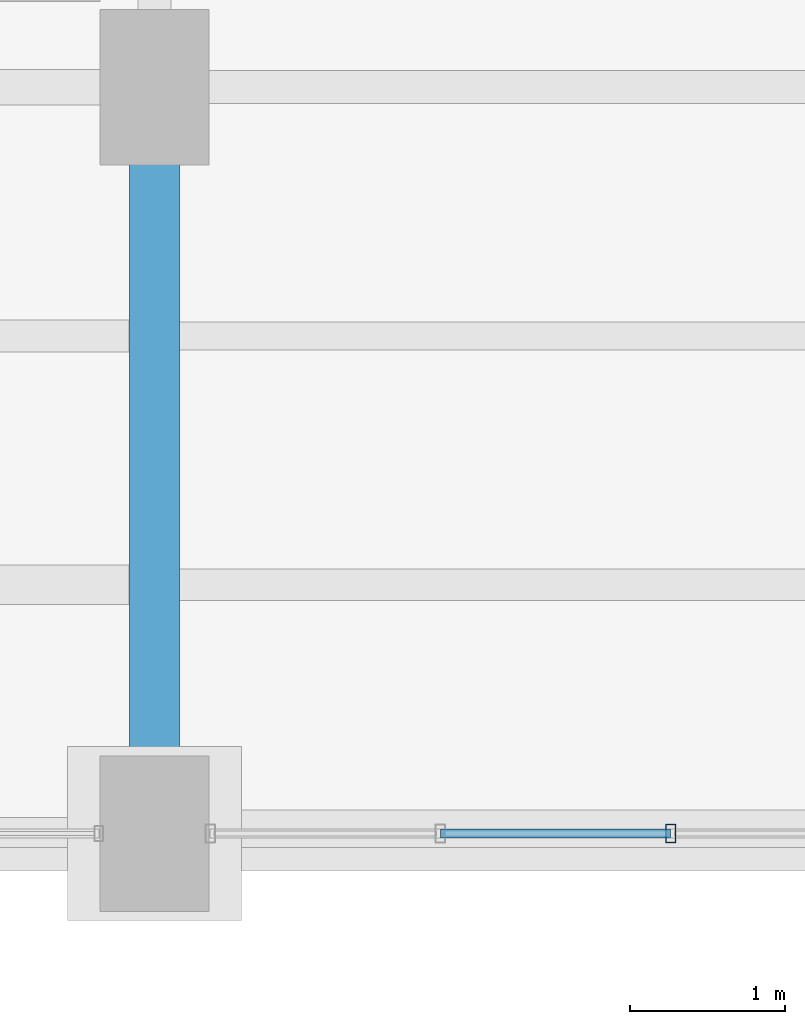
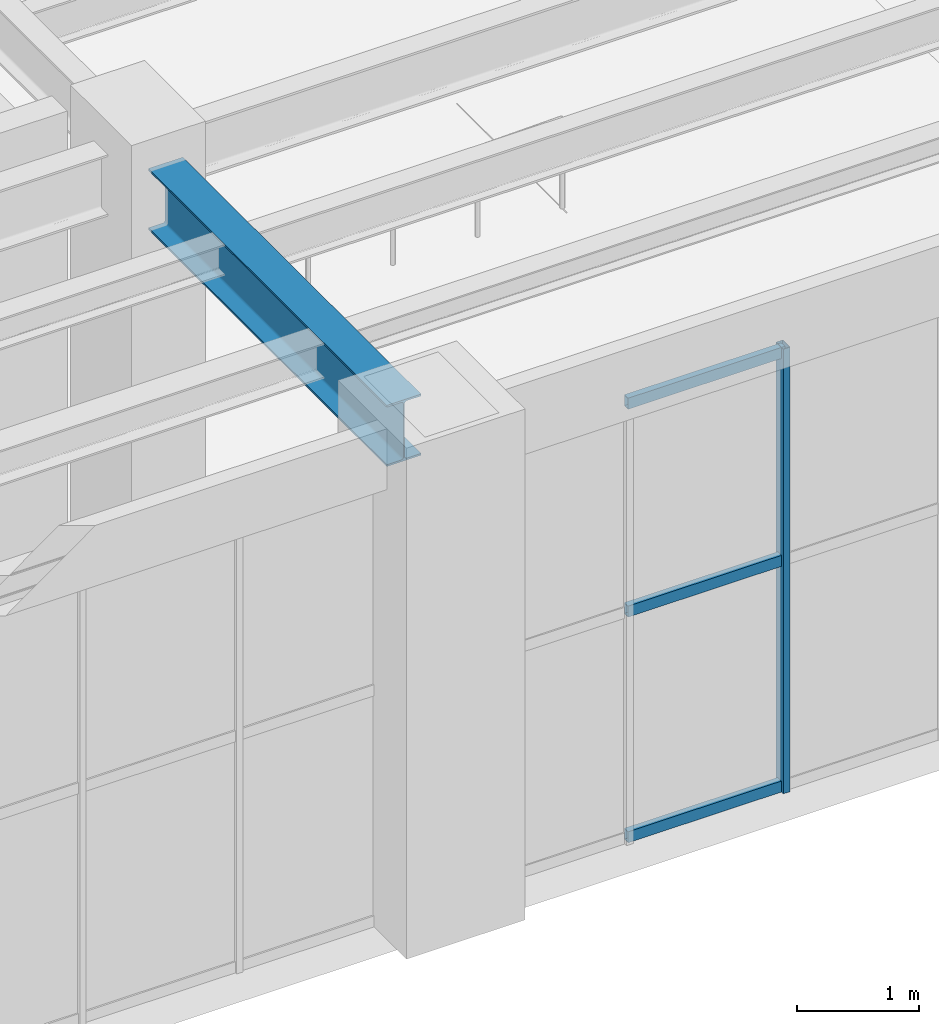
# One storey, part 100 of 174: 4 members, 1 beam, 1 element without a shape of its own.
"""IFC4 building model written with IfcOpenShell, lengths in metres."""

from ifc_helpers import new_model, si_unit, direction, frame, origin, origin_2d, place, context, subcontext, project, spatial, hollow_rectangle, i_section, extrude, material, material_profile, profile_set, type_object, element, aggregate, save


model = new_model("IFC4")

# Units and contexts
model_context = context("Model", 3, precision=1e-05, world=origin(), true_north=direction((0.0, 1.0)))
body_context = subcontext(model_context, "Body", "Model", "MODEL_VIEW")
ifc_project = project(units=[si_unit("LENGTHUNIT", "METRE"), si_unit("AREAUNIT", "SQUARE_METRE"), si_unit("VOLUMEUNIT", "CUBIC_METRE"), si_unit("PLANEANGLEUNIT", "RADIAN"), si_unit("MASSUNIT", "GRAM", prefix="KILO")], contexts=[model_context])

# Site, building, storey
site_placement = place(None, origin())
site = spatial("IfcSite", under=ifc_project, at=site_placement, CompositionType="ELEMENT")
building_placement = place(site_placement, origin())
building = spatial("IfcBuilding", under=site, at=building_placement, Name="Mavantir Sound Aquarium", CompositionType="ELEMENT")
storey_placement = place(building_placement, frame((0.0, 0.0, 5.39990234375)))
storey = spatial("IfcBuildingStorey", under=building, at=storey_placement, Name="L01", CompositionType="ELEMENT", Elevation=5.39990234375)

# Beam
ifc_material_1 = material(Name="Structural Steel ASTM A992 Gr50", Category="steel")
ifc_material_profile_1 = material_profile(ifc_material_1, i_section(OverallWidth=0.323974609375, OverallDepth=0.611083984375, WebThickness=0.0126953125, FlangeThickness=0.01904296875, FilletRadius=0.01904296875, at=origin_2d()), Name="W610X155")
ifc_profile_set_1 = profile_set([ifc_material_profile_1], Name="Structural Steel ASTM A992 Gr50")
beam_type = type_object("IfcBeamType", Name="BM-W610X155-I", PredefinedType="BEAM", material=ifc_profile_set_1)
beam_placement = place(storey_placement, frame((156.0, 36.449951171875, 4.470703125), z_axis=(0.0, 1.0, 0.0), x_axis=(-1.0, 0.0, 0.0)))
element("IfcBeam", 1, at=beam_placement, inside=storey, type_object=beam_type, Name="L01 primary girder SB-61A 1339", PredefinedType="BEAM", context=body_context, shape_type="SweptSolid", body=[
    extrude(i_section(OverallWidth=0.323974609375, OverallDepth=0.611083984375, WebThickness=0.0126953125, FlangeThickness=0.01904296875, FilletRadius=0.01904296875, at=origin_2d()), origin(), (0.0, 0.0, 1.0), 3.900146484375),
])

# Curtain wall, members
ifc_material_2 = material(Name="Anodised Marine Aluminium and Low-E Glass", Category="aluminium")
curtain_wall_type = type_object("IfcCurtainWallType", Name="CW-T06", PredefinedType="USERDEFINED", material=ifc_material_2)
curtain_wall_placement = place(storey_placement, origin())
curtain_wall = element("IfcCurtainWall", 2, at=curtain_wall_placement, inside=storey, type_object=curtain_wall_type, Name="L01 unitised curtain wall CW-06 102", ObjectType="UNITISED GLAZING", PredefinedType="USERDEFINED")
ifc_material_3 = material(Name="Anodised Marine Aluminium 6063-T6", Category="aluminium")
ifc_material_profile_2 = material_profile(ifc_material_3, hollow_rectangle(XDim=0.06494140625, YDim=0.1201171875, WallThickness=0.00390625, at=origin_2d()), Name="ALU-MULLION-120X65")
ifc_profile_set_2 = profile_set([ifc_material_profile_2], Name="Anodised Marine Aluminium 6063-T6")
member_type_1 = type_object("IfcMemberType", Name="CW-MUL-120", PredefinedType="MULLION", material=ifc_profile_set_2)
member_1_placement = place(storey_placement, frame((159.3193359375, 36.0, 0.0), z_axis=(0.0, 0.0, 1.0), x_axis=(1.0, 0.0, 0.0)))
member_1 = element("IfcMember", 3, at=member_1_placement, type_object=member_type_1, Name="CW-L01-102 vertical mullion 3", PredefinedType="MULLION", context=body_context, shape_type="SweptSolid", body=[
    extrude(hollow_rectangle(XDim=0.06494140625, YDim=0.1201171875, WallThickness=0.00390625, at=origin_2d()), origin(), (0.0, 0.0, 1.0), 4.43798828125),
])
ifc_material_profile_3 = material_profile(ifc_material_3, hollow_rectangle(XDim=0.06005859375, YDim=0.110107421875, WallThickness=0.00390625, at=origin_2d()), Name="ALU-TRANSOM-110X60")
ifc_profile_set_3 = profile_set([ifc_material_profile_3], Name="Anodised Marine Aluminium 6063-T6")
member_type_2 = type_object("IfcMemberType", Name="CW-TRN-110", PredefinedType="USERDEFINED", material=ifc_profile_set_3)
member_2_placement = place(storey_placement, frame((157.838623046875, 36.0, 0.05517578125), z_axis=(1.0, 0.0, 0.0), x_axis=(0.0, 1.0, 0.0)))
member_2 = element("IfcMember", 4, at=member_2_placement, type_object=member_type_2, Name="CW-L01-102 transom 2.1", ObjectType="TRANSOM", PredefinedType="USERDEFINED", context=body_context, shape_type="SweptSolid", body=[
    extrude(hollow_rectangle(XDim=0.06005859375, YDim=0.110107421875, WallThickness=0.00390625, at=origin_2d()), origin(), (0.0, 0.0, 1.0), 1.480712890625),
])
member_3_placement = place(storey_placement, frame((157.838623046875, 36.0, 2.307861328125), z_axis=(1.0, 0.0, 0.0), x_axis=(0.0, 1.0, 0.0)))
member_3 = element("IfcMember", 5, at=member_3_placement, type_object=member_type_2, Name="CW-L01-102 transom 2.2", ObjectType="TRANSOM", PredefinedType="USERDEFINED", context=body_context, shape_type="SweptSolid", body=[
    extrude(hollow_rectangle(XDim=0.06005859375, YDim=0.110107421875, WallThickness=0.00390625, at=origin_2d()), origin(), (0.0, 0.0, 1.0), 1.480712890625),
])
member_4_placement = place(storey_placement, frame((157.838623046875, 36.0, 4.383056640625), z_axis=(1.0, 0.0, 0.0), x_axis=(0.0, 1.0, 0.0)))
member_4 = element("IfcMember", 6, at=member_4_placement, type_object=member_type_2, Name="CW-L01-102 transom 2.3", ObjectType="TRANSOM", PredefinedType="USERDEFINED", context=body_context, shape_type="SweptSolid", body=[
    extrude(hollow_rectangle(XDim=0.06005859375, YDim=0.110107421875, WallThickness=0.00390625, at=origin_2d()), origin(), (0.0, 0.0, 1.0), 1.480712890625),
])
aggregate(curtain_wall, [member_1, member_2, member_3, member_4])

save(model, "model.ifc")
